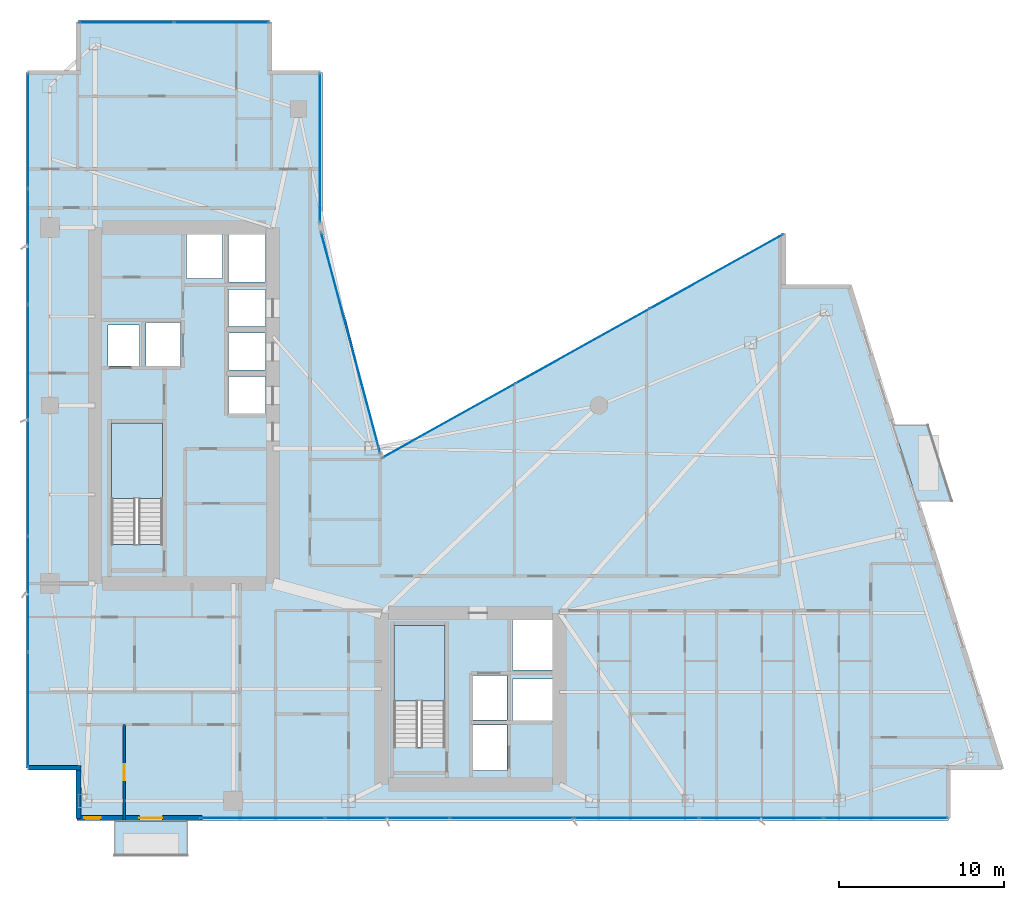
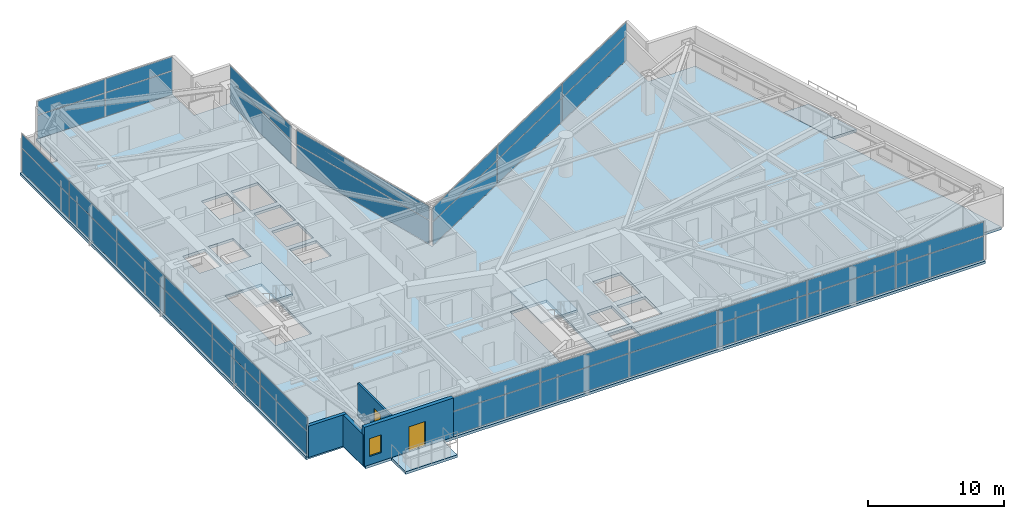
# One storey, part 21 of 28: 38 plates, 5 slabs, 4 walls, 2 doors, 1 window, 3 openings, 8 elements without a shape of their own.
"""IFC4 building model written with IfcOpenShell, lengths in metres."""

from ifc_helpers import new_model, si_unit, direction, frame, frame_2d, origin, origin_2d, place, context, subcontext, project, spatial, polyline, rectangle, outline, extrude, material, layer, layer_set, type_object, element, fill, aggregate, save


model = new_model("IFC4")

# Units and contexts
model_context = context("Model", 3, precision=1e-05, world=origin(), true_north=direction((0.0, 1.0)))
body_context = subcontext(model_context, "Body", "Model", "MODEL_VIEW")
ifc_project = project(units=[si_unit("LENGTHUNIT", "METRE"), si_unit("AREAUNIT", "SQUARE_METRE"), si_unit("VOLUMEUNIT", "CUBIC_METRE"), si_unit("PLANEANGLEUNIT", "RADIAN"), si_unit("MASSUNIT", "GRAM", prefix="KILO")], contexts=[model_context])

# Site, building, storey
site_placement = place(None, origin())
site = spatial("IfcSite", under=ifc_project, at=site_placement, CompositionType="ELEMENT")
building_placement = place(site_placement, origin())
building = spatial("IfcBuilding", under=site, at=building_placement, Name="Calvorn Quay Hotel", CompositionType="ELEMENT")
storey_placement = place(building_placement, frame((0.0, 0.0, 135.39990234375)))
storey = spatial("IfcBuildingStorey", under=building, at=storey_placement, Name="L33", CompositionType="ELEMENT", Elevation=135.39990234375)

# Curtain wall, plates
ifc_material_1 = material(Name="Pale Anodised Aluminium and Low-E Glass", Category="aluminium")
ifc_layer_1 = layer(ifc_material_1, 0.219970703125)
ifc_layer_set_1 = layer_set([ifc_layer_1], Name="CW-SYS-Z2")
curtain_wall_type = type_object("IfcCurtainWallType", Name="CW-SYS-Z2", PredefinedType="NOTDEFINED", material=ifc_layer_set_1)
curtain_wall_1_placement = place(storey_placement, origin())
curtain_wall_1 = element("IfcCurtainWall", 1, at=curtain_wall_1_placement, inside=storey, type_object=curtain_wall_type, Name="Tower West Curtain Wall (L33)", PredefinedType="NOTDEFINED")
ifc_material_2 = material(Name="Low-E Laminated Double Glazing", Category="glass")
ifc_layer_2 = layer(ifc_material_2, 0.028076171875)
ifc_layer_set_2 = layer_set([ifc_layer_2], Name="CW-SYS-Z2-PAN")
plate_type = type_object("IfcPlateType", Name="CW-SYS-Z2-PAN", PredefinedType="CURTAIN_PANEL", material=ifc_layer_set_2)
plate_1_placement = place(storey_placement, frame((0.14990234375, 9.131591796875, 0.06005859375), z_axis=(0.0, 0.0, 1.0), x_axis=(0.0, 1.0, 0.0)))
plate_1 = element("IfcPlate", 2, at=plate_1_placement, type_object=plate_type, Name="CW-L33-W panel 1.1", PredefinedType="CURTAIN_PANEL", context=body_context, shape_type="SweptSolid", body=[
    extrude(rectangle(XDim=6.943359375, YDim=0.028076171875, at=origin_2d()), origin(), (0.0, 0.0, 1.0), 2.110107421875),
])
plate_2_placement = place(storey_placement, frame((0.14990234375, 9.131591796875, 2.230224609375), z_axis=(0.0, 0.0, 1.0), x_axis=(0.0, 1.0, 0.0)))
plate_2 = element("IfcPlate", 3, at=plate_2_placement, type_object=plate_type, Name="CW-L33-W panel 1.2", PredefinedType="CURTAIN_PANEL", context=body_context, shape_type="SweptSolid", body=[
    extrude(rectangle(XDim=6.943359375, YDim=0.028076171875, at=origin_2d()), origin(), (0.0, 0.0, 1.0), 1.22998046875),
])
plate_3_placement = place(storey_placement, frame((0.14990234375, 16.14990234375, 0.06005859375), z_axis=(0.0, 0.0, 1.0), x_axis=(0.0, 1.0, 0.0)))
plate_3 = element("IfcPlate", 4, at=plate_3_placement, type_object=plate_type, Name="CW-L33-W panel 2.1", PredefinedType="CURTAIN_PANEL", context=body_context, shape_type="SweptSolid", body=[
    extrude(rectangle(XDim=6.973388671875, YDim=0.028076171875, at=origin_2d()), origin(), (0.0, 0.0, 1.0), 2.110107421875),
])
plate_4_placement = place(storey_placement, frame((0.14990234375, 16.14990234375, 2.230224609375), z_axis=(0.0, 0.0, 1.0), x_axis=(0.0, 1.0, 0.0)))
plate_4 = element("IfcPlate", 5, at=plate_4_placement, type_object=plate_type, Name="CW-L33-W panel 2.2", PredefinedType="CURTAIN_PANEL", context=body_context, shape_type="SweptSolid", body=[
    extrude(rectangle(XDim=6.973388671875, YDim=0.028076171875, at=origin_2d()), origin(), (0.0, 0.0, 1.0), 1.22998046875),
])
plate_5_placement = place(storey_placement, frame((0.14990234375, 23.183349609375, 0.06005859375), z_axis=(0.0, 0.0, 1.0), x_axis=(0.0, 1.0, 0.0)))
plate_5 = element("IfcPlate", 6, at=plate_5_placement, type_object=plate_type, Name="CW-L33-W panel 3.1", PredefinedType="CURTAIN_PANEL", context=body_context, shape_type="SweptSolid", body=[
    extrude(rectangle(XDim=6.973388671875, YDim=0.028076171875, at=origin_2d()), origin(), (0.0, 0.0, 1.0), 2.110107421875),
])
plate_6_placement = place(storey_placement, frame((0.14990234375, 23.183349609375, 2.230224609375), z_axis=(0.0, 0.0, 1.0), x_axis=(0.0, 1.0, 0.0)))
plate_6 = element("IfcPlate", 7, at=plate_6_placement, type_object=plate_type, Name="CW-L33-W panel 3.2", PredefinedType="CURTAIN_PANEL", context=body_context, shape_type="SweptSolid", body=[
    extrude(rectangle(XDim=6.973388671875, YDim=0.028076171875, at=origin_2d()), origin(), (0.0, 0.0, 1.0), 1.22998046875),
])
plate_7_placement = place(storey_placement, frame((0.14990234375, 30.216552734375, 0.06005859375), z_axis=(0.0, 0.0, 1.0), x_axis=(0.0, 1.0, 0.0)))
plate_7 = element("IfcPlate", 8, at=plate_7_placement, type_object=plate_type, Name="CW-L33-W panel 4.1", PredefinedType="CURTAIN_PANEL", context=body_context, shape_type="SweptSolid", body=[
    extrude(rectangle(XDim=6.973388671875, YDim=0.028076171875, at=origin_2d()), origin(), (0.0, 0.0, 1.0), 2.110107421875),
])
plate_8_placement = place(storey_placement, frame((0.14990234375, 30.216552734375, 2.230224609375), z_axis=(0.0, 0.0, 1.0), x_axis=(0.0, 1.0, 0.0)))
plate_8 = element("IfcPlate", 9, at=plate_8_placement, type_object=plate_type, Name="CW-L33-W panel 4.2", PredefinedType="CURTAIN_PANEL", context=body_context, shape_type="SweptSolid", body=[
    extrude(rectangle(XDim=6.973388671875, YDim=0.028076171875, at=origin_2d()), origin(), (0.0, 0.0, 1.0), 1.22998046875),
])
plate_9_placement = place(storey_placement, frame((0.14990234375, 37.25, 0.06005859375), z_axis=(0.0, 0.0, 1.0), x_axis=(0.0, 1.0, 0.0)))
plate_9 = element("IfcPlate", 10, at=plate_9_placement, type_object=plate_type, Name="CW-L33-W panel 5.1", PredefinedType="CURTAIN_PANEL", context=body_context, shape_type="SweptSolid", body=[
    extrude(rectangle(XDim=6.973388671875, YDim=0.028076171875, at=origin_2d()), origin(), (0.0, 0.0, 1.0), 2.110107421875),
])
plate_10_placement = place(storey_placement, frame((0.14990234375, 37.25, 2.230224609375), z_axis=(0.0, 0.0, 1.0), x_axis=(0.0, 1.0, 0.0)))
plate_10 = element("IfcPlate", 11, at=plate_10_placement, type_object=plate_type, Name="CW-L33-W panel 5.2", PredefinedType="CURTAIN_PANEL", context=body_context, shape_type="SweptSolid", body=[
    extrude(rectangle(XDim=6.973388671875, YDim=0.028076171875, at=origin_2d()), origin(), (0.0, 0.0, 1.0), 1.22998046875),
])
plate_11_placement = place(storey_placement, frame((0.14990234375, 44.268310546875, 0.06005859375), z_axis=(0.0, 0.0, 1.0), x_axis=(0.0, 1.0, 0.0)))
plate_11 = element("IfcPlate", 12, at=plate_11_placement, type_object=plate_type, Name="CW-L33-W panel 6.1", PredefinedType="CURTAIN_PANEL", context=body_context, shape_type="SweptSolid", body=[
    extrude(rectangle(XDim=6.943359375, YDim=0.028076171875, at=origin_2d()), origin(), (0.0, 0.0, 1.0), 2.110107421875),
])
plate_12_placement = place(storey_placement, frame((0.14990234375, 44.268310546875, 2.230224609375), z_axis=(0.0, 0.0, 1.0), x_axis=(0.0, 1.0, 0.0)))
plate_12 = element("IfcPlate", 13, at=plate_12_placement, type_object=plate_type, Name="CW-L33-W panel 6.2", PredefinedType="CURTAIN_PANEL", context=body_context, shape_type="SweptSolid", body=[
    extrude(rectangle(XDim=6.943359375, YDim=0.028076171875, at=origin_2d()), origin(), (0.0, 0.0, 1.0), 1.22998046875),
])
aggregate(curtain_wall_1, [plate_1, plate_2, plate_3, plate_4, plate_5, plate_6, plate_7, plate_8, plate_9, plate_10, plate_11, plate_12])

curtain_wall_2_placement = place(storey_placement, origin())
curtain_wall_2 = element("IfcCurtainWall", 14, at=curtain_wall_2_placement, inside=storey, type_object=curtain_wall_type, Name="Tower South Waterfront Curtain Wall (L33)", PredefinedType="NOTDEFINED")
plate_13_placement = place(storey_placement, frame((14.3984375, 2.550048828125, 0.06005859375), z_axis=(0.0, 0.0, 1.0), x_axis=(1.0, 0.0, 0.0)))
plate_13 = element("IfcPlate", 15, at=plate_13_placement, type_object=plate_type, Name="CW-L33-S panel 1.1", PredefinedType="CURTAIN_PANEL", context=body_context, shape_type="SweptSolid", body=[
    extrude(rectangle(XDim=7.4765625, YDim=0.028076171875, at=origin_2d()), origin(), (0.0, 0.0, 1.0), 2.110107421875),
])
plate_14_placement = place(storey_placement, frame((14.3984375, 2.550048828125, 2.230224609375), z_axis=(0.0, 0.0, 1.0), x_axis=(1.0, 0.0, 0.0)))
plate_14 = element("IfcPlate", 16, at=plate_14_placement, type_object=plate_type, Name="CW-L33-S panel 1.2", PredefinedType="CURTAIN_PANEL", context=body_context, shape_type="SweptSolid", body=[
    extrude(rectangle(XDim=7.4765625, YDim=0.028076171875, at=origin_2d()), origin(), (0.0, 0.0, 1.0), 1.22998046875),
])
plate_15_placement = place(storey_placement, frame((21.949951171875, 2.550048828125, 0.06005859375), z_axis=(0.0, 0.0, 1.0), x_axis=(1.0, 0.0, 0.0)))
plate_15 = element("IfcPlate", 17, at=plate_15_placement, type_object=plate_type, Name="CW-L33-S panel 2.1", PredefinedType="CURTAIN_PANEL", context=body_context, shape_type="SweptSolid", body=[
    extrude(rectangle(XDim=7.506591796875, YDim=0.028076171875, at=origin_2d()), origin(), (0.0, 0.0, 1.0), 2.110107421875),
])
plate_16_placement = place(storey_placement, frame((21.949951171875, 2.550048828125, 2.230224609375), z_axis=(0.0, 0.0, 1.0), x_axis=(1.0, 0.0, 0.0)))
plate_16 = element("IfcPlate", 18, at=plate_16_placement, type_object=plate_type, Name="CW-L33-S panel 2.2", PredefinedType="CURTAIN_PANEL", context=body_context, shape_type="SweptSolid", body=[
    extrude(rectangle(XDim=7.506591796875, YDim=0.028076171875, at=origin_2d()), origin(), (0.0, 0.0, 1.0), 1.22998046875),
])
plate_17_placement = place(storey_placement, frame((29.5166015625, 2.550048828125, 0.06005859375), z_axis=(0.0, 0.0, 1.0), x_axis=(1.0, 0.0, 0.0)))
plate_17 = element("IfcPlate", 19, at=plate_17_placement, type_object=plate_type, Name="CW-L33-S panel 3.1", PredefinedType="CURTAIN_PANEL", context=body_context, shape_type="SweptSolid", body=[
    extrude(rectangle(XDim=7.506591796875, YDim=0.028076171875, at=origin_2d()), origin(), (0.0, 0.0, 1.0), 2.110107421875),
])
plate_18_placement = place(storey_placement, frame((29.5166015625, 2.550048828125, 2.230224609375), z_axis=(0.0, 0.0, 1.0), x_axis=(1.0, 0.0, 0.0)))
plate_18 = element("IfcPlate", 20, at=plate_18_placement, type_object=plate_type, Name="CW-L33-S panel 3.2", PredefinedType="CURTAIN_PANEL", context=body_context, shape_type="SweptSolid", body=[
    extrude(rectangle(XDim=7.506591796875, YDim=0.028076171875, at=origin_2d()), origin(), (0.0, 0.0, 1.0), 1.22998046875),
])
plate_19_placement = place(storey_placement, frame((37.083251953125, 2.550048828125, 0.06005859375), z_axis=(0.0, 0.0, 1.0), x_axis=(1.0, 0.0, 0.0)))
plate_19 = element("IfcPlate", 21, at=plate_19_placement, type_object=plate_type, Name="CW-L33-S panel 4.1", PredefinedType="CURTAIN_PANEL", context=body_context, shape_type="SweptSolid", body=[
    extrude(rectangle(XDim=7.506591796875, YDim=0.028076171875, at=origin_2d()), origin(), (0.0, 0.0, 1.0), 2.110107421875),
])
plate_20_placement = place(storey_placement, frame((37.083251953125, 2.550048828125, 2.230224609375), z_axis=(0.0, 0.0, 1.0), x_axis=(1.0, 0.0, 0.0)))
plate_20 = element("IfcPlate", 22, at=plate_20_placement, type_object=plate_type, Name="CW-L33-S panel 4.2", PredefinedType="CURTAIN_PANEL", context=body_context, shape_type="SweptSolid", body=[
    extrude(rectangle(XDim=7.506591796875, YDim=0.028076171875, at=origin_2d()), origin(), (0.0, 0.0, 1.0), 1.22998046875),
])
plate_21_placement = place(storey_placement, frame((44.64990234375, 2.550048828125, 0.06005859375), z_axis=(0.0, 0.0, 1.0), x_axis=(1.0, 0.0, 0.0)))
plate_21 = element("IfcPlate", 23, at=plate_21_placement, type_object=plate_type, Name="CW-L33-S panel 5.1", PredefinedType="CURTAIN_PANEL", context=body_context, shape_type="SweptSolid", body=[
    extrude(rectangle(XDim=7.506591796875, YDim=0.028076171875, at=origin_2d()), origin(), (0.0, 0.0, 1.0), 2.110107421875),
])
plate_22_placement = place(storey_placement, frame((44.64990234375, 2.550048828125, 2.230224609375), z_axis=(0.0, 0.0, 1.0), x_axis=(1.0, 0.0, 0.0)))
plate_22 = element("IfcPlate", 24, at=plate_22_placement, type_object=plate_type, Name="CW-L33-S panel 5.2", PredefinedType="CURTAIN_PANEL", context=body_context, shape_type="SweptSolid", body=[
    extrude(rectangle(XDim=7.506591796875, YDim=0.028076171875, at=origin_2d()), origin(), (0.0, 0.0, 1.0), 1.22998046875),
])
plate_23_placement = place(storey_placement, frame((52.20166015625, 2.550048828125, 0.06005859375), z_axis=(0.0, 0.0, 1.0), x_axis=(1.0, 0.0, 0.0)))
plate_23 = element("IfcPlate", 25, at=plate_23_placement, type_object=plate_type, Name="CW-L33-S panel 6.1", PredefinedType="CURTAIN_PANEL", context=body_context, shape_type="SweptSolid", body=[
    extrude(rectangle(XDim=7.4765625, YDim=0.028076171875, at=origin_2d()), origin(), (0.0, 0.0, 1.0), 2.110107421875),
])
plate_24_placement = place(storey_placement, frame((52.20166015625, 2.550048828125, 2.230224609375), z_axis=(0.0, 0.0, 1.0), x_axis=(1.0, 0.0, 0.0)))
plate_24 = element("IfcPlate", 26, at=plate_24_placement, type_object=plate_type, Name="CW-L33-S panel 6.2", PredefinedType="CURTAIN_PANEL", context=body_context, shape_type="SweptSolid", body=[
    extrude(rectangle(XDim=7.4765625, YDim=0.028076171875, at=origin_2d()), origin(), (0.0, 0.0, 1.0), 1.22998046875),
])
aggregate(curtain_wall_2, [plate_13, plate_14, plate_15, plate_16, plate_17, plate_18, plate_19, plate_20, plate_21, plate_22, plate_23, plate_24])

curtain_wall_3_placement = place(storey_placement, origin())
curtain_wall_3 = element("IfcCurtainWall", 27, at=curtain_wall_3_placement, inside=storey, type_object=curtain_wall_type, Name="Inner Court Curtain Wall L33-NE1", PredefinedType="NOTDEFINED")
plate_25_placement = place(storey_placement, frame((41.920166015625, 35.72607421875, 0.06005859375), z_axis=(0.0, 0.0, 1.0), x_axis=(-0.873480989116, -0.486858256224, 0.0)))
plate_25 = element("IfcPlate", 28, at=plate_25_placement, type_object=plate_type, Name="CW-L33-NE1 panel 1.1", PredefinedType="CURTAIN_PANEL", context=body_context, shape_type="SweptSolid", body=[
    extrude(rectangle(XDim=9.221435546875, YDim=0.028076171875, at=origin_2d()), origin(), (0.0, 0.0, 1.0), 2.110107421875),
])
plate_26_placement = place(storey_placement, frame((41.920166015625, 35.72607421875, 2.230224609375), z_axis=(0.0, 0.0, 1.0), x_axis=(-0.873480989116, -0.486858256224, 0.0)))
plate_26 = element("IfcPlate", 29, at=plate_26_placement, type_object=plate_type, Name="CW-L33-NE1 panel 1.2", PredefinedType="CURTAIN_PANEL", context=body_context, shape_type="SweptSolid", body=[
    extrude(rectangle(XDim=9.221435546875, YDim=0.028076171875, at=origin_2d()), origin(), (0.0, 0.0, 1.0), 1.22998046875),
])
plate_27_placement = place(storey_placement, frame((33.800048828125, 31.199951171875, 0.06005859375), z_axis=(0.0, 0.0, 1.0), x_axis=(-0.873480989116, -0.486858256224, 0.0)))
plate_27 = element("IfcPlate", 30, at=plate_27_placement, type_object=plate_type, Name="CW-L33-NE1 panel 2.1", PredefinedType="CURTAIN_PANEL", context=body_context, shape_type="SweptSolid", body=[
    extrude(rectangle(XDim=9.25146484375, YDim=0.028076171875, at=origin_2d()), origin(), (0.0, 0.0, 1.0), 2.110107421875),
])
plate_28_placement = place(storey_placement, frame((33.800048828125, 31.199951171875, 2.230224609375), z_axis=(0.0, 0.0, 1.0), x_axis=(-0.873480989116, -0.486858256224, 0.0)))
plate_28 = element("IfcPlate", 31, at=plate_28_placement, type_object=plate_type, Name="CW-L33-NE1 panel 2.2", PredefinedType="CURTAIN_PANEL", context=body_context, shape_type="SweptSolid", body=[
    extrude(rectangle(XDim=9.25146484375, YDim=0.028076171875, at=origin_2d()), origin(), (0.0, 0.0, 1.0), 1.22998046875),
])
plate_29_placement = place(storey_placement, frame((25.6796875, 26.674072265625, 0.06005859375), z_axis=(0.0, 0.0, 1.0), x_axis=(-0.873480989116, -0.486858256224, 0.0)))
plate_29 = element("IfcPlate", 32, at=plate_29_placement, type_object=plate_type, Name="CW-L33-NE1 panel 3.1", PredefinedType="CURTAIN_PANEL", context=body_context, shape_type="SweptSolid", body=[
    extrude(rectangle(XDim=9.221435546875, YDim=0.028076171875, at=origin_2d()), origin(), (0.0, 0.0, 1.0), 2.110107421875),
])
plate_30_placement = place(storey_placement, frame((25.6796875, 26.674072265625, 2.230224609375), z_axis=(0.0, 0.0, 1.0), x_axis=(-0.873480989116, -0.486858256224, 0.0)))
plate_30 = element("IfcPlate", 33, at=plate_30_placement, type_object=plate_type, Name="CW-L33-NE1 panel 3.2", PredefinedType="CURTAIN_PANEL", context=body_context, shape_type="SweptSolid", body=[
    extrude(rectangle(XDim=9.221435546875, YDim=0.028076171875, at=origin_2d()), origin(), (0.0, 0.0, 1.0), 1.22998046875),
])
aggregate(curtain_wall_3, [plate_25, plate_26, plate_27, plate_28, plate_29, plate_30])

curtain_wall_4_placement = place(storey_placement, origin())
curtain_wall_4 = element("IfcCurtainWall", 34, at=curtain_wall_4_placement, inside=storey, type_object=curtain_wall_type, Name="Inner Court Curtain Wall L33-IC1", PredefinedType="NOTDEFINED")
plate_31_placement = place(storey_placement, frame((19.72509765625, 31.39990234375, 0.06005859375), z_axis=(0.0, 0.0, 1.0), x_axis=(-0.25877913024, 0.96593652056, 0.0)))
plate_31 = element("IfcPlate", 35, at=plate_31_placement, type_object=plate_type, Name="CW-L33-IC1 panel 1.1", PredefinedType="CURTAIN_PANEL", context=body_context, shape_type="SweptSolid", body=[
    extrude(rectangle(XDim=13.814697265625, YDim=0.028076171875, at=origin_2d()), origin(), (0.0, 0.0, 1.0), 2.110107421875),
])
plate_32_placement = place(storey_placement, frame((19.72509765625, 31.39990234375, 2.230224609375), z_axis=(0.0, 0.0, 1.0), x_axis=(-0.25877913024, 0.96593652056, 0.0)))
plate_32 = element("IfcPlate", 36, at=plate_32_placement, type_object=plate_type, Name="CW-L33-IC1 panel 1.2", PredefinedType="CURTAIN_PANEL", context=body_context, shape_type="SweptSolid", body=[
    extrude(rectangle(XDim=13.814697265625, YDim=0.028076171875, at=origin_2d()), origin(), (0.0, 0.0, 1.0), 1.22998046875),
])
aggregate(curtain_wall_4, [plate_31, plate_32])

curtain_wall_5_placement = place(storey_placement, origin())
curtain_wall_5 = element("IfcCurtainWall", 37, at=curtain_wall_5_placement, inside=storey, type_object=curtain_wall_type, Name="Inner Court Curtain Wall L33-IC2", PredefinedType="NOTDEFINED")
plate_33_placement = place(storey_placement, frame((17.85009765625, 43.239990234375, 0.06005859375), z_axis=(0.0, 0.0, 1.0), x_axis=(0.0, 1.0, 0.0)))
plate_33 = element("IfcPlate", 38, at=plate_33_placement, type_object=plate_type, Name="CW-L33-IC2 panel 1.1", PredefinedType="CURTAIN_PANEL", context=body_context, shape_type="SweptSolid", body=[
    extrude(rectangle(XDim=9.0, YDim=0.028076171875, at=origin_2d()), origin(), (0.0, 0.0, 1.0), 2.110107421875),
])
plate_34_placement = place(storey_placement, frame((17.85009765625, 43.239990234375, 2.230224609375), z_axis=(0.0, 0.0, 1.0), x_axis=(0.0, 1.0, 0.0)))
plate_34 = element("IfcPlate", 39, at=plate_34_placement, type_object=plate_type, Name="CW-L33-IC2 panel 1.2", PredefinedType="CURTAIN_PANEL", context=body_context, shape_type="SweptSolid", body=[
    extrude(rectangle(XDim=9.0, YDim=0.028076171875, at=origin_2d()), origin(), (0.0, 0.0, 1.0), 1.22998046875),
])
aggregate(curtain_wall_5, [plate_33, plate_34])

curtain_wall_6_placement = place(storey_placement, origin())
curtain_wall_6 = element("IfcCurtainWall", 40, at=curtain_wall_6_placement, inside=storey, type_object=curtain_wall_type, Name="Inner Court Curtain Wall L33-N1", PredefinedType="NOTDEFINED")
plate_35_placement = place(storey_placement, frame((11.885009765625, 50.85009765625, 0.06005859375), z_axis=(0.0, 0.0, 1.0), x_axis=(-1.0, 0.0, 0.0)))
plate_35 = element("IfcPlate", 41, at=plate_35_placement, type_object=plate_type, Name="CW-L33-N1 panel 1.1", PredefinedType="CURTAIN_PANEL", context=body_context, shape_type="SweptSolid", body=[
    extrude(rectangle(XDim=5.7099609375, YDim=0.028076171875, at=origin_2d()), origin(), (0.0, 0.0, 1.0), 2.110107421875),
])
plate_36_placement = place(storey_placement, frame((11.885009765625, 50.85009765625, 2.230224609375), z_axis=(0.0, 0.0, 1.0), x_axis=(-1.0, 0.0, 0.0)))
plate_36 = element("IfcPlate", 42, at=plate_36_placement, type_object=plate_type, Name="CW-L33-N1 panel 1.2", PredefinedType="CURTAIN_PANEL", context=body_context, shape_type="SweptSolid", body=[
    extrude(rectangle(XDim=5.7099609375, YDim=0.028076171875, at=origin_2d()), origin(), (0.0, 0.0, 1.0), 1.22998046875),
])
plate_37_placement = place(storey_placement, frame((6.114990234375, 50.85009765625, 0.06005859375), z_axis=(0.0, 0.0, 1.0), x_axis=(-1.0, 0.0, 0.0)))
plate_37 = element("IfcPlate", 43, at=plate_37_placement, type_object=plate_type, Name="CW-L33-N1 panel 2.1", PredefinedType="CURTAIN_PANEL", context=body_context, shape_type="SweptSolid", body=[
    extrude(rectangle(XDim=5.7099609375, YDim=0.028076171875, at=origin_2d()), origin(), (0.0, 0.0, 1.0), 2.110107421875),
])
plate_38_placement = place(storey_placement, frame((6.114990234375, 50.85009765625, 2.230224609375), z_axis=(0.0, 0.0, 1.0), x_axis=(-1.0, 0.0, 0.0)))
plate_38 = element("IfcPlate", 44, at=plate_38_placement, type_object=plate_type, Name="CW-L33-N1 panel 2.2", PredefinedType="CURTAIN_PANEL", context=body_context, shape_type="SweptSolid", body=[
    extrude(rectangle(XDim=5.7099609375, YDim=0.028076171875, at=origin_2d()), origin(), (0.0, 0.0, 1.0), 1.22998046875),
])
aggregate(curtain_wall_6, [plate_35, plate_36, plate_37, plate_38])

# Slabs
ifc_material_3 = material(Name="Concrete C40", Category="concrete")
ifc_layer_3 = layer(ifc_material_3, 0.239990234375)
ifc_layer_set_3 = layer_set([ifc_layer_3], Name="SLB-BALCONY-220")
slab_type_1 = type_object("IfcSlabType", Name="SLB-BALCONY-220", PredefinedType="FLOOR", material=ifc_layer_set_3)
slab_1_placement = place(storey_placement, frame((0.0, 0.0, -0.239990234375)))
element("IfcSlab", 45, at=slab_1_placement, inside=storey, type_object=slab_type_1, Name="Tree Balcony Slab L33-BALC-E", PredefinedType="FLOOR", context=body_context, shape_type="SweptSolid", body=[
    extrude(outline(polyline([(54.10595703125, 21.800048828125), (56.2060546875, 21.800048828125), (54.757080078125, 26.39990234375), (52.656982421875, 26.39990234375), (54.10595703125, 21.800048828125)])), origin(), (0.0, 0.0, 1.0), 0.239990234375),
])
slab_2_placement = place(storey_placement, frame((0.0, 0.0, -0.239990234375)))
element("IfcSlab", 46, at=slab_2_placement, inside=storey, type_object=slab_type_1, Name="Tree Balcony Slab L33-BALC-S", PredefinedType="FLOOR", context=body_context, shape_type="SweptSolid", body=[
    extrude(outline(polyline([(5.39990234375, 0.2900390625), (9.800048828125, 0.2900390625), (9.800048828125, 2.389892578125), (5.39990234375, 2.389892578125), (5.39990234375, 0.2900390625)])), origin(), (0.0, 0.0, 1.0), 0.239990234375),
])

# Stair, slab
ifc_material_4 = material(Name="Concrete C40", Category="concrete")
stair_type = type_object("IfcStairType", Name="STR-CORE-DOGLEG", PredefinedType="HALF_TURN_STAIR", material=ifc_material_4)
stair_1_placement = place(storey_placement, origin())
stair_1 = element("IfcStair", 47, at=stair_1_placement, inside=storey, type_object=stair_type, Name="L33 ST-W", PredefinedType="HALF_TURN_STAIR")
ifc_material_5 = material(Name="Concrete C40", Category="concrete")
ifc_layer_4 = layer(ifc_material_5, 0.199951171875)
ifc_layer_set_4 = layer_set([ifc_layer_4], Name="SLB-STAIR-LANDING-200")
slab_type_2 = type_object("IfcSlabType", Name="SLB-STAIR-LANDING-200", PredefinedType="LANDING", material=ifc_layer_set_4)
slab_3_placement = place(storey_placement, frame((0.0, 0.0, 1.7001953125)))
slab_3 = element("IfcSlab", 48, at=slab_3_placement, type_object=slab_type_2, Name="ST-W landing 1", PredefinedType="LANDING", context=body_context, shape_type="SweptSolid", body=[
    extrude(outline(polyline([(8.300048828125, 21.949951171875), (8.300048828125, 26.550048828125), (5.199951171875, 26.550048828125), (5.199951171875, 21.949951171875), (8.300048828125, 21.949951171875)])), origin(), (0.0, 0.0, 1.0), 0.199951171875),
])
aggregate(stair_1, [slab_3])

stair_2_placement = place(storey_placement, origin())
stair_2 = element("IfcStair", 49, at=stair_2_placement, inside=storey, type_object=stair_type, Name="L33 ST-E", PredefinedType="HALF_TURN_STAIR")
slab_4_placement = place(storey_placement, frame((0.0, 0.0, 1.7001953125)))
slab_4 = element("IfcSlab", 50, at=slab_4_placement, type_object=slab_type_2, Name="ST-E landing 1", PredefinedType="LANDING", context=body_context, shape_type="SweptSolid", body=[
    extrude(outline(polyline([(25.449951171875, 9.64990234375), (25.449951171875, 14.25), (22.35009765625, 14.25), (22.35009765625, 9.64990234375), (25.449951171875, 9.64990234375)])), origin(), (0.0, 0.0, 1.0), 0.199951171875),
])
aggregate(stair_2, [slab_4])

# Slab
ifc_material_6 = material(Name="Concrete C40", Category="concrete")
ifc_layer_5 = layer(ifc_material_6, 0.239990234375)
ifc_layer_set_5 = layer_set([ifc_layer_5], Name="SLB-TOWER-240")
slab_type_3 = type_object("IfcSlabType", Name="SLB-TOWER-240", PredefinedType="FLOOR", material=ifc_layer_set_5)
slab_5_placement = place(storey_placement, frame((0.0, 0.0, -0.239990234375)))
element("IfcSlab", 51, at=slab_5_placement, inside=storey, type_object=slab_type_3, Name="L33 Structural Floor Slab", PredefinedType="FLOOR", context=body_context, shape_type="SweptSolid", body=[
    extrude(outline(polyline([(0.0, 5.60009765625), (3.199951171875, 5.60009765625), (3.199951171875, 2.39990234375), (56.0, 2.39990234375), (56.0, 5.60009765625), (59.199951171875, 5.60009765625), (50.0, 34.800048828125), (46.0, 34.800048828125), (46.0, 38.0), (21.60009765625, 24.39990234375), (18.0, 38.39990234375), (18.0, 47.800048828125), (14.800048828125, 47.800048828125), (14.800048828125, 51.0), (3.199951171875, 51.0), (3.199951171875, 47.800048828125), (0.0, 47.800048828125), (0.0, 5.60009765625)]), holes=[polyline([(5.199951171875, 19.156005859375), (8.300048828125, 19.156005859375), (8.300048828125, 26.550048828125), (5.199951171875, 26.550048828125), (5.199951171875, 19.156005859375)]), polyline([(22.35009765625, 6.85595703125), (25.449951171875, 6.85595703125), (25.449951171875, 14.25), (22.35009765625, 14.25), (22.35009765625, 6.85595703125)]), polyline([(5.0, 30.0), (6.89990234375, 30.0), (6.89990234375, 32.5), (5.0, 32.5), (5.0, 30.0)]), polyline([(7.300048828125, 30.0), (9.39990234375, 30.0), (9.39990234375, 32.64990234375), (7.300048828125, 32.64990234375), (7.300048828125, 30.0)]), polyline([(27.159912109375, 8.5), (29.2099609375, 8.5), (29.2099609375, 11.199951171875), (27.159912109375, 11.199951171875), (27.159912109375, 8.5)]), polyline([(27.159912109375, 5.449951171875), (29.2099609375, 5.449951171875), (29.2099609375, 8.199951171875), (27.159912109375, 8.199951171875), (27.159912109375, 5.449951171875)]), polyline([(12.300048828125, 27.10009765625), (14.56494140625, 27.10009765625), (14.56494140625, 29.35009765625), (12.300048828125, 29.35009765625), (12.300048828125, 27.10009765625)]), polyline([(12.300048828125, 29.75), (14.56494140625, 29.75), (14.56494140625, 32.0), (12.300048828125, 32.0), (12.300048828125, 29.75)]), polyline([(12.300048828125, 32.39990234375), (14.56494140625, 32.39990234375), (14.56494140625, 34.64990234375), (12.300048828125, 34.64990234375), (12.300048828125, 32.39990234375)]), polyline([(12.300048828125, 35.10009765625), (14.56494140625, 35.10009765625), (14.56494140625, 37.965087890625), (12.300048828125, 37.965087890625), (12.300048828125, 35.10009765625)]), polyline([(9.75, 35.300048828125), (11.949951171875, 35.300048828125), (11.949951171875, 37.965087890625), (9.75, 37.965087890625), (9.75, 35.300048828125)]), polyline([(29.550048828125, 11.550048828125), (31.965087890625, 11.550048828125), (31.965087890625, 14.56494140625), (29.550048828125, 14.56494140625), (29.550048828125, 11.550048828125)]), polyline([(29.550048828125, 8.449951171875), (31.965087890625, 8.449951171875), (31.965087890625, 11.0), (29.550048828125, 11.0), (29.550048828125, 8.449951171875)])]), origin(), (0.0, 0.0, 1.0), 0.239990234375),
])

# Wall, openings, door, window
ifc_material_7 = material(Name="Concrete C40", Category="concrete")
ifc_layer_6 = layer(ifc_material_7, 0.320068359375)
ifc_layer_set_6 = layer_set([ifc_layer_6], Name="WL-EXT-SPANDREL-320")
wall_type_1 = type_object("IfcWallType", Name="WL-EXT-SPANDREL-320", PredefinedType="SOLIDWALL", material=ifc_layer_set_6)
wall_1_placement = place(storey_placement, frame((3.10009765625, 2.56005859375, 0.0), z_axis=(0.0, 0.0, 1.0), x_axis=(1.0, 0.0, 0.0)))
wall_1 = element("IfcWall", 52, at=wall_1_placement, inside=storey, type_object=wall_type_1, Name="South Balcony Exterior Wall (L33)", PredefinedType="SOLIDWALL", context=body_context, shape_type="SweptSolid", body=[
    extrude(rectangle(XDim=7.599853515625, YDim=0.320068359375, at=frame_2d((3.7998046875, 0.0))), origin(), (0.0, 0.0, 1.0), 3.52001953125),
])
opening_1_placement = place(wall_1_placement, frame((0.449951171875, 0.0, 0.75)))
opening_1 = element("IfcOpeningElement", 53, at=opening_1_placement, cuts=wall_1, Name="Opening WSB-L33-1", PredefinedType="OPENING", context=body_context, shape_type="SweptSolid", body=[
    extrude(rectangle(XDim=1.0, YDim=1.60009765625, at=frame_2d((0.5, 0.800048828125))), frame((0.0, 0.169921875, 0.0), z_axis=(0.0, -1.0, 0.0), x_axis=(1.0, 0.0, 0.0)), (0.0, 0.0, 1.0), 0.340087890625),
])
opening_2_placement = place(wall_1_placement, frame((3.800048828125, 0.0, 0.0)))
opening_2 = element("IfcOpeningElement", 54, at=opening_2_placement, cuts=wall_1, Name="Opening DB-L33-2", PredefinedType="OPENING", context=body_context, shape_type="SweptSolid", body=[
    extrude(rectangle(XDim=1.39990234375, YDim=2.25, at=frame_2d((0.699951171875, 1.125))), frame((0.0, 0.169921875, 0.0), z_axis=(0.0, -1.0, 0.0), x_axis=(1.0, 0.0, 0.0)), (0.0, 0.0, 1.0), 0.340087890625),
])
ifc_material_8 = material(Name="Typhoon-Rated Low-E Aluminium Terrace Door", Category="aluminium")
door_type_1 = type_object("IfcDoorType", Name="DR-BALCONY-GLZ-1400", OperationType="NOTDEFINED", PredefinedType="DOOR", material=ifc_material_8)
door_1_placement = place(opening_2_placement, origin())
door_1 = element("IfcDoor", 55, at=door_1_placement, inside=storey, type_object=door_type_1, Name="Tree Balcony Terrace Door L33-BALC-S", OperationType="SINGLE_SWING_LEFT", OverallHeight=2.25, OverallWidth=1.39990234375, PredefinedType="DOOR", context=body_context, shape_type="SweptSolid", body=[
    extrude(rectangle(XDim=1.39990234375, YDim=2.25, at=frame_2d((0.699951171875, 1.125))), frame((0.0, 0.02490234375, 0.0), z_axis=(0.0, -1.0, 0.0), x_axis=(1.0, 0.0, 0.0)), (0.0, 0.0, 1.0), 0.050048828125),
])
fill(opening_2, door_1)
ifc_material_9 = material(Name="Self-Closing Class B Side Fire Window")
window_type = type_object("IfcWindowType", Name="WIN-REFUGE-NARROW-1000x1600", PartitioningType="SINGLE_PANEL", PredefinedType="WINDOW", material=ifc_material_9)
window_placement = place(opening_1_placement, origin())
window = element("IfcWindow", 56, at=window_placement, inside=storey, type_object=window_type, Name="South Waterfront Side Window (L33)", OverallHeight=1.60009765625, OverallWidth=1.0, PartitioningType="SINGLE_PANEL", PredefinedType="WINDOW", context=body_context, shape_type="SweptSolid", body=[
    extrude(rectangle(XDim=1.0, YDim=1.60009765625, at=frame_2d((0.5, 0.800048828125))), frame((0.0, 0.030029296875, 0.0), z_axis=(0.0, -1.0, 0.0), x_axis=(1.0, 0.0, 0.0)), (0.0, 0.0, 1.0), 0.06005859375),
])
fill(opening_1, window)

# Walls
wall_2_placement = place(storey_placement, frame((0.1201171875, 5.60009765625, 0.0), z_axis=(0.0, 0.0, 1.0), x_axis=(1.0, 0.0, 0.0)))
element("IfcWall", 57, at=wall_2_placement, inside=storey, type_object=wall_type_1, Name="Notched Corner Spandrel L33-SW1", PredefinedType="SOLIDWALL", context=body_context, shape_type="SweptSolid", body=[
    extrude(rectangle(XDim=3.219970703125, YDim=0.280029296875, at=frame_2d((1.60986328125, 0.0))), origin(), (0.0, 0.0, 1.0), 2.820068359375),
])
wall_3_placement = place(storey_placement, frame((3.199951171875, 5.4599609375, 0.0), z_axis=(0.0, 0.0, 1.0), x_axis=(0.0, -1.0, 0.0)))
element("IfcWall", 58, at=wall_3_placement, inside=storey, type_object=wall_type_1, Name="Notched Corner Spandrel L33-SW2", PredefinedType="SOLIDWALL", context=body_context, shape_type="SweptSolid", body=[
    extrude(rectangle(XDim=2.93994140625, YDim=0.280029296875, at=frame_2d((1.469970703125, 0.0))), origin(), (0.0, 0.0, 1.0), 2.820068359375),
])

# Wall, opening, door
ifc_material_10 = material(Name="Double-Stud Acoustic Gypsum Partition")
ifc_layer_7 = layer(ifc_material_10, 0.159912109375)
ifc_layer_set_7 = layer_set([ifc_layer_7], Name="WL-INTERSUITE-160")
wall_type_2 = type_object("IfcWallType", Name="WL-INTERSUITE-160", PredefinedType="PARTITIONING", material=ifc_layer_set_7)
wall_4_placement = place(storey_placement, frame((5.97998046875, 2.43994140625, 0.0), z_axis=(0.0, 0.0, 1.0), x_axis=(0.0, 1.0, 0.0)))
wall_4 = element("IfcWall", 59, at=wall_4_placement, inside=storey, type_object=wall_type_2, Name="Partition Wall L33-WL-U01-MSP", PredefinedType="PARTITIONING", context=body_context, shape_type="SweptSolid", body=[
    extrude(rectangle(XDim=5.780029296875, YDim=0.159912109375, at=frame_2d((2.89013671875, 0.0))), origin(), (0.0, 0.0, 1.0), 3.02001953125),
])
opening_3_placement = place(wall_4_placement, frame((2.409912109375, 0.0, 0.0)))
opening_3 = element("IfcOpeningElement", 60, at=opening_3_placement, cuts=wall_4, Name="Opening D-L33-M01", PredefinedType="OPENING", context=body_context, shape_type="SweptSolid", body=[
    extrude(rectangle(XDim=0.9599609375, YDim=2.199951171875, at=frame_2d((0.47998046875, 1.10009765625))), frame((0.0, 0.08984375, 0.0), z_axis=(0.0, -1.0, 0.0), x_axis=(1.0, 0.0, 0.0)), (0.0, 0.0, 1.0), 0.179931640625),
])
ifc_material_11 = material(Name="Solid Timber Internal Suite Door", Category="wood")
door_type_2 = type_object("IfcDoorType", Name="DR-SUITE-INT-960", OperationType="NOTDEFINED", PredefinedType="DOOR", material=ifc_material_11)
door_2_placement = place(opening_3_placement, origin())
door_2 = element("IfcDoor", 61, at=door_2_placement, inside=storey, type_object=door_type_2, Name="Suite Bedroom Door 01", OperationType="SINGLE_SWING_LEFT", OverallHeight=2.199951171875, OverallWidth=0.9599609375, PredefinedType="DOOR", context=body_context, shape_type="SweptSolid", body=[
    extrude(rectangle(XDim=0.9599609375, YDim=2.199951171875, at=frame_2d((0.47998046875, 1.10009765625))), frame((0.0, 0.02490234375, 0.0), z_axis=(0.0, -1.0, 0.0), x_axis=(1.0, 0.0, 0.0)), (0.0, 0.0, 1.0), 0.050048828125),
])
fill(opening_3, door_2)

save(model, "model.ifc")
